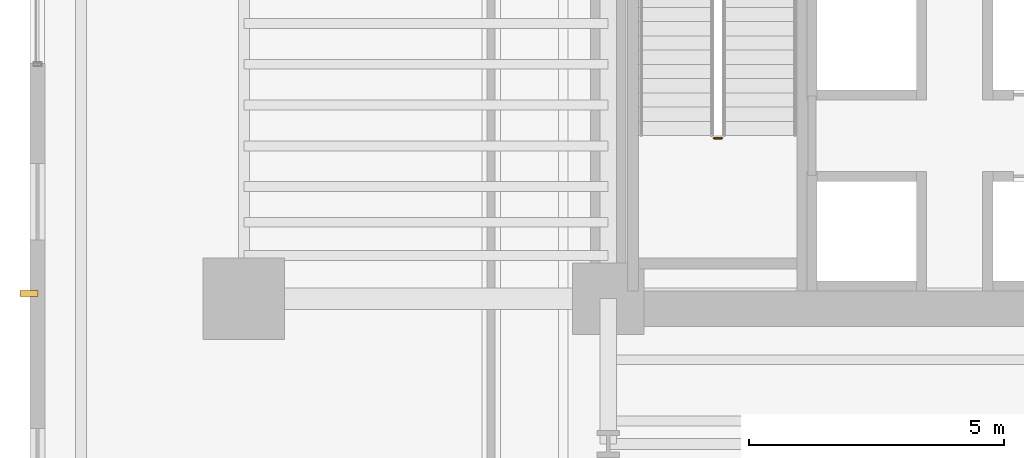
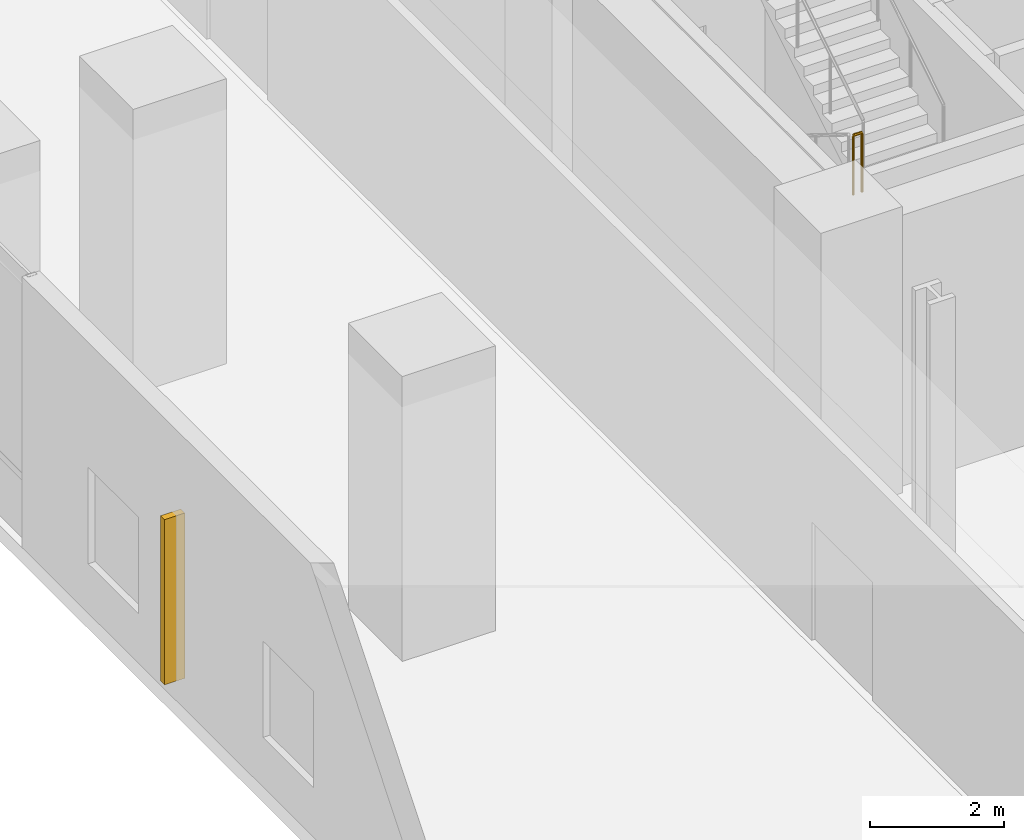
# One storey, part 31 of 39: 1 railing, 1 shading device.
"""IFC4 building model written with IfcOpenShell, lengths in metres."""

from ifc_helpers import new_model, si_unit, direction, frame, origin, origin_2d, place, context, subcontext, project, spatial, rectangle, circle, extrude, source, transform, mapped, material, type_object, element, save


model = new_model("IFC4")

# Units and contexts
model_context = context("Model", 3, precision=1e-05, world=origin(), true_north=direction((0.0, 1.0)))
body_context = subcontext(model_context, "Body", "Model", "MODEL_VIEW")
ifc_project = project(units=[si_unit("LENGTHUNIT", "METRE"), si_unit("AREAUNIT", "SQUARE_METRE"), si_unit("VOLUMEUNIT", "CUBIC_METRE"), si_unit("PLANEANGLEUNIT", "RADIAN"), si_unit("MASSUNIT", "GRAM", prefix="KILO")], contexts=[model_context])

# Site, building, storey
site_placement = place(None, origin())
site = spatial("IfcSite", under=ifc_project, at=site_placement, CompositionType="ELEMENT")
building_placement = place(site_placement, origin())
building = spatial("IfcBuilding", under=site, at=building_placement, Name="Valdorenza Pilgrim Sanctuary Tower", CompositionType="ELEMENT")
storey_placement = place(building_placement, frame((0.0, 0.0, 5.199951171875)))
storey = spatial("IfcBuildingStorey", under=building, at=storey_placement, Name="L01", CompositionType="ELEMENT", Elevation=5.199951171875)

# Railing
ifc_material_1 = material(Name="Stainless steel Grade 316", Category="steel")
railing_type = type_object("IfcRailingType", Name="RLG-GRD-1120", PredefinedType="GUARDRAIL", material=ifc_material_1)
railing_placement = place(storey_placement, frame((-20.570068359375, -7.449951171875, 2.60009765625)))
element("IfcRailing", 1, at=railing_placement, inside=storey, type_object=railing_type, Name="L01 ST-A2 stair guard 2", PredefinedType="GUARDRAIL", context=body_context, shape_type="SweptSolid", body=[
    extrude(circle(Radius=0.02392578125, at=origin_2d()), frame((0.0, 0.0, 1.076171875), z_axis=(1.0, 0.0, 0.0), x_axis=(0.0, 1.0, 0.0)), (0.0, 0.0, 1.0), 0.150146484375),
    extrude(circle(Radius=0.02099609375, at=origin_2d()), origin(), (0.0, 0.0, 1.0), 1.052001953125),
    extrude(circle(Radius=0.02099609375, at=origin_2d()), frame((0.150146484375, 0.0, 0.0)), (0.0, 0.0, 1.0), 1.052001953125),
])

# Shading device
ifc_material_2 = material(Name="Champagne anodised aluminium", Category="aluminium")
shading_device_type = type_object("IfcShadingDeviceType", Name="SHD-FIN-TRV", PredefinedType="SHUTTER", material=ifc_material_2)
shared_shape = source(origin(), body_context, "Body", "SweptSolid", [
    extrude(rectangle(XDim=0.35009765625, YDim=0.1201171875, at=origin_2d()), origin(), (0.0, 0.0, 1.0), 3.0),
])
shading_device_placement = place(storey_placement, frame((-34.02001953125, -10.5, 0.35009765625), z_axis=(0.0, 0.0, 1.0), x_axis=(1.0, 0.0, 0.0)))
element("IfcShadingDevice", 2, at=shading_device_placement, inside=storey, type_object=shading_device_type, Name="L01 West Solar Shading Fin 1", PredefinedType="SHUTTER", context=body_context, shape_type="MappedRepresentation", body=[
    mapped(shared_shape, transform((0.0, 0.0, 0.0), x_axis=(1.0, 0.0, 0.0), y_axis=(0.0, 1.0, 0.0), z_axis=(0.0, 0.0, 1.0), scale=1.0)),
])

save(model, "model.ifc")
